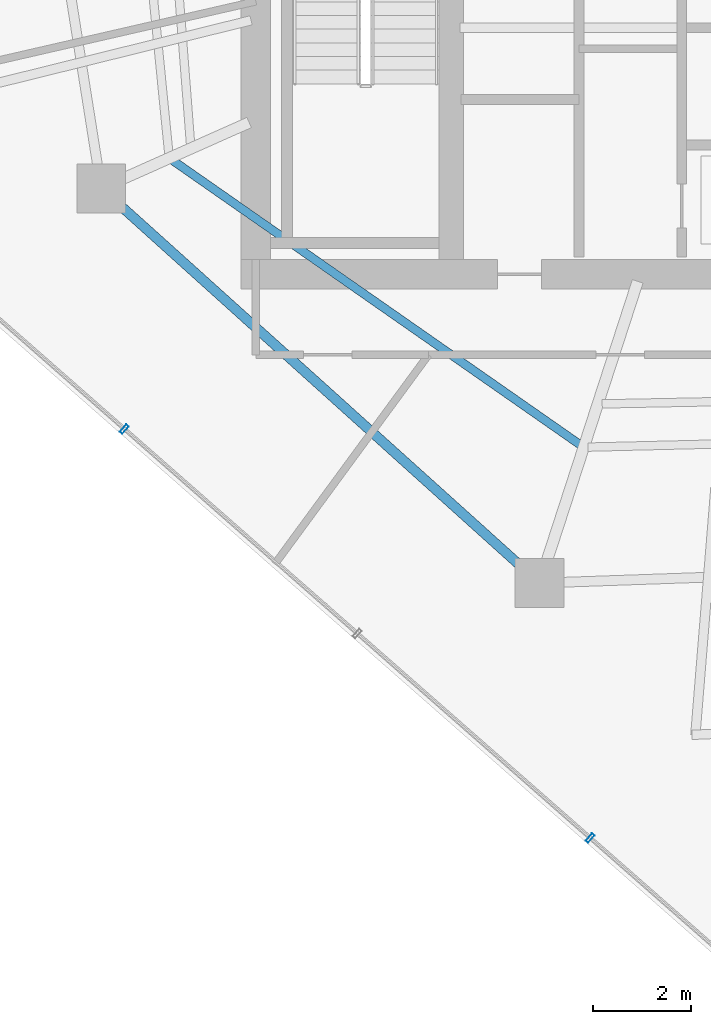
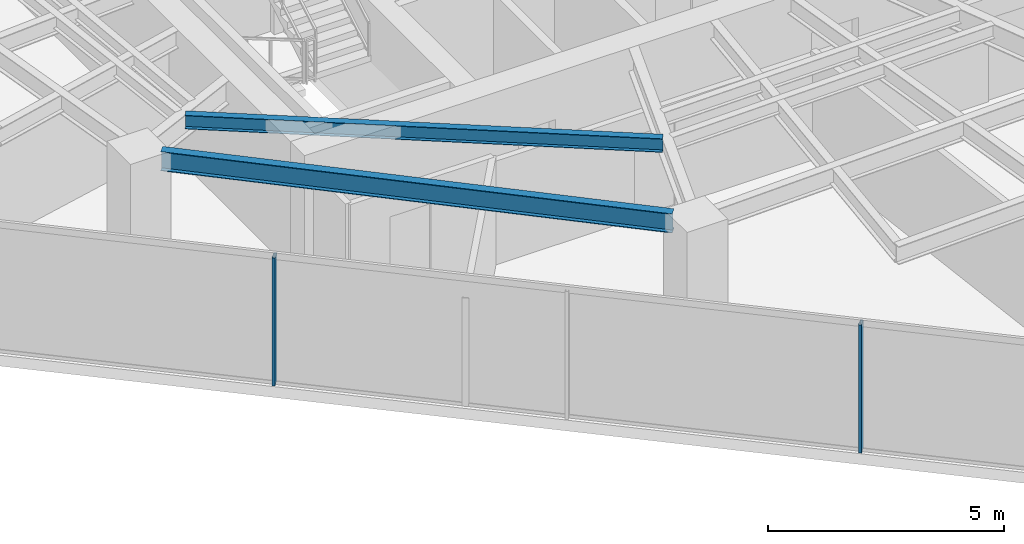
# One storey, part 4 of 20: 2 beams, 2 members, 1 element without a shape of its own.
"""IFC4 building model written with IfcOpenShell, lengths in metres."""

from ifc_helpers import new_model, si_unit, direction, frame, origin, origin_2d, place, context, subcontext, project, spatial, hollow_rectangle, i_section, extrude, material, layer, layer_set, material_profile, profile_set, type_object, element, aggregate, save


model = new_model("IFC4")

# Units and contexts
model_context = context("Model", 3, precision=1e-05, world=origin(), true_north=direction((0.0, 1.0)))
body_context = subcontext(model_context, "Body", "Model", "MODEL_VIEW")
ifc_project = project(units=[si_unit("LENGTHUNIT", "METRE"), si_unit("AREAUNIT", "SQUARE_METRE"), si_unit("VOLUMEUNIT", "CUBIC_METRE"), si_unit("PLANEANGLEUNIT", "RADIAN"), si_unit("MASSUNIT", "GRAM", prefix="KILO")], contexts=[model_context])

# Site, building, storey
site_placement = place(None, origin())
site = spatial("IfcSite", under=ifc_project, at=site_placement, CompositionType="ELEMENT")
building_placement = place(site_placement, origin())
building = spatial("IfcBuilding", under=site, at=building_placement, Name="Qarnah Convention Tower", CompositionType="ELEMENT")
storey_placement = place(building_placement, frame((0.0, 0.0, 136.5)))
storey = spatial("IfcBuildingStorey", under=building, at=storey_placement, Name="L36", CompositionType="ELEMENT", Elevation=136.5)

# Beams
ifc_material_1 = material(Name="Structural steel S355JR", Category="steel")
ifc_material_profile_1 = material_profile(ifc_material_1, i_section(OverallWidth=0.172119140625, OverallDepth=0.35595703125, WebThickness=0.007080078125, FlangeThickness=0.011962890625, at=origin_2d()), Name="W360X51")
ifc_profile_set_1 = profile_set([ifc_material_profile_1], Name="Structural steel S355JR")
beam_type_1 = type_object("IfcBeamType", Name="BM-JST-W360", PredefinedType="JOIST", material=ifc_profile_set_1)
beam_1_placement = place(storey_placement, frame((25.10107421875, 20.928955078125, 3.14208984375), z_axis=(0.820110709976, -0.572204878852, 0.0), x_axis=(0.572204878852, 0.820110709976, 0.0)))
element("IfcBeam", 1, at=beam_1_placement, inside=storey, type_object=beam_type_1, Name="L36 joist BM-L36-SJST-06", PredefinedType="JOIST", context=body_context, shape_type="SweptSolid", body=[
    extrude(i_section(OverallWidth=0.172119140625, OverallDepth=0.35595703125, WebThickness=0.007080078125, FlangeThickness=0.011962890625, at=origin_2d()), origin(), (0.0, 0.0, 1.0), 10.169189453125),
])
ifc_material_profile_2 = material_profile(ifc_material_1, i_section(OverallWidth=0.199951171875, OverallDepth=0.5, WebThickness=0.010009765625, FlangeThickness=0.01611328125, at=origin_2d()), Name="IPE500")
ifc_profile_set_2 = profile_set([ifc_material_profile_2], Name="Structural steel S355JR")
beam_type_2 = type_object("IfcBeamType", Name="BM-SPN-IPE500", PredefinedType="SPANDREL", material=ifc_profile_set_2)
beam_2_placement = place(storey_placement, frame((23.998046875, 20.031982421875, 3.070068359375), z_axis=(0.743165079224, -0.66910811161, 0.0), x_axis=(0.66910811161, 0.743165079224, 0.0)))
element("IfcBeam", 2, at=beam_2_placement, inside=storey, type_object=beam_type_2, Name="L36 spandrel BM-L36-SPN-06", PredefinedType="SPANDREL", context=body_context, shape_type="SweptSolid", body=[
    extrude(i_section(OverallWidth=0.199951171875, OverallDepth=0.5, WebThickness=0.010009765625, FlangeThickness=0.01611328125, at=origin_2d()), origin(), (0.0, 0.0, 1.0), 11.099853515625),
])

# Curtain wall, members
ifc_material_2 = material(Name="Tempered Low-E dark glass", Category="glass")
ifc_layer = layer(ifc_material_2, 0.172119140625)
ifc_layer_set = layer_set([ifc_layer], Name="Tempered Low-E dark glass")
curtain_wall_type = type_object("IfcCurtainWallType", Name="CWS-03", PredefinedType="NOTDEFINED", material=ifc_layer_set)
curtain_wall_placement = place(storey_placement, origin())
curtain_wall = element("IfcCurtainWall", 3, at=curtain_wall_placement, inside=storey, type_object=curtain_wall_type, Name="L36 unitised curtain wall CW-L36-F2", PredefinedType="NOTDEFINED")
ifc_material_3 = material(Name="Black anodised aluminium", Category="aluminium")
ifc_material_profile_3 = material_profile(ifc_material_3, hollow_rectangle(XDim=0.070068359375, YDim=0.199951171875, WallThickness=0.0048828125, at=origin_2d()), Name="MUL-70X200")
ifc_profile_set_3 = profile_set([ifc_material_profile_3], Name="Black anodised aluminium")
member_type = type_object("IfcMemberType", Name="MUL-T3", PredefinedType="MULLION", material=ifc_profile_set_3)
member_1_placement = place(storey_placement, frame((33.644287109375, 7.05517578125, 0.0), z_axis=(0.0, 0.0, 1.0), x_axis=(-0.751498144926, 0.659735203072, 0.0)))
member_1 = element("IfcMember", 4, at=member_1_placement, type_object=member_type, Name="CW-L36-F2 mullion 2", PredefinedType="MULLION", context=body_context, shape_type="SweptSolid", body=[
    extrude(hollow_rectangle(XDim=0.070068359375, YDim=0.199951171875, WallThickness=0.0048828125, at=origin_2d()), origin(), (0.0, 0.0, 1.0), 3.320068359375),
])
member_2_placement = place(storey_placement, frame((24.105224609375, 15.4296875, 0.0), z_axis=(0.0, 0.0, 1.0), x_axis=(-0.751498144926, 0.659735203072, 0.0)))
member_2 = element("IfcMember", 5, at=member_2_placement, type_object=member_type, Name="CW-L36-F2 mullion 4", PredefinedType="MULLION", context=body_context, shape_type="SweptSolid", body=[
    extrude(hollow_rectangle(XDim=0.070068359375, YDim=0.199951171875, WallThickness=0.0048828125, at=origin_2d()), origin(), (0.0, 0.0, 1.0), 3.320068359375),
])
aggregate(curtain_wall, [member_1, member_2])

save(model, "model.ifc")
